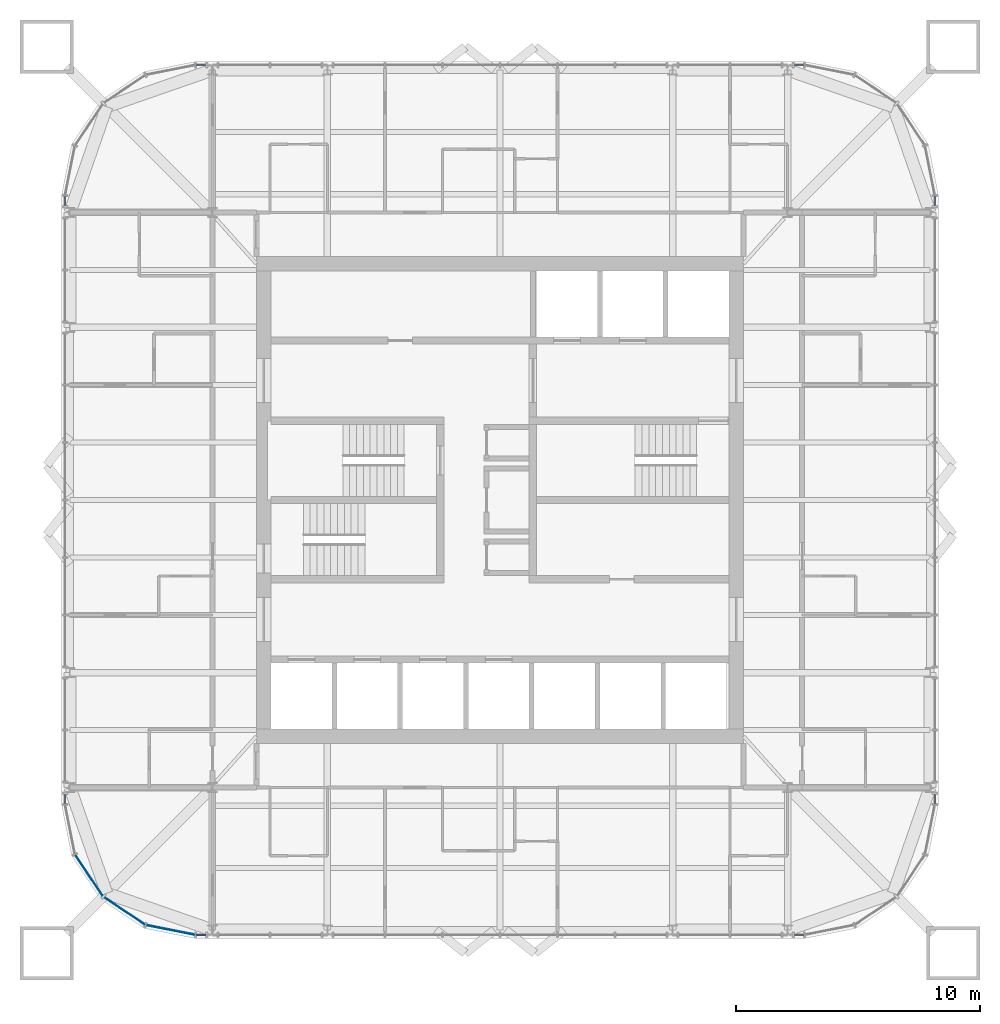
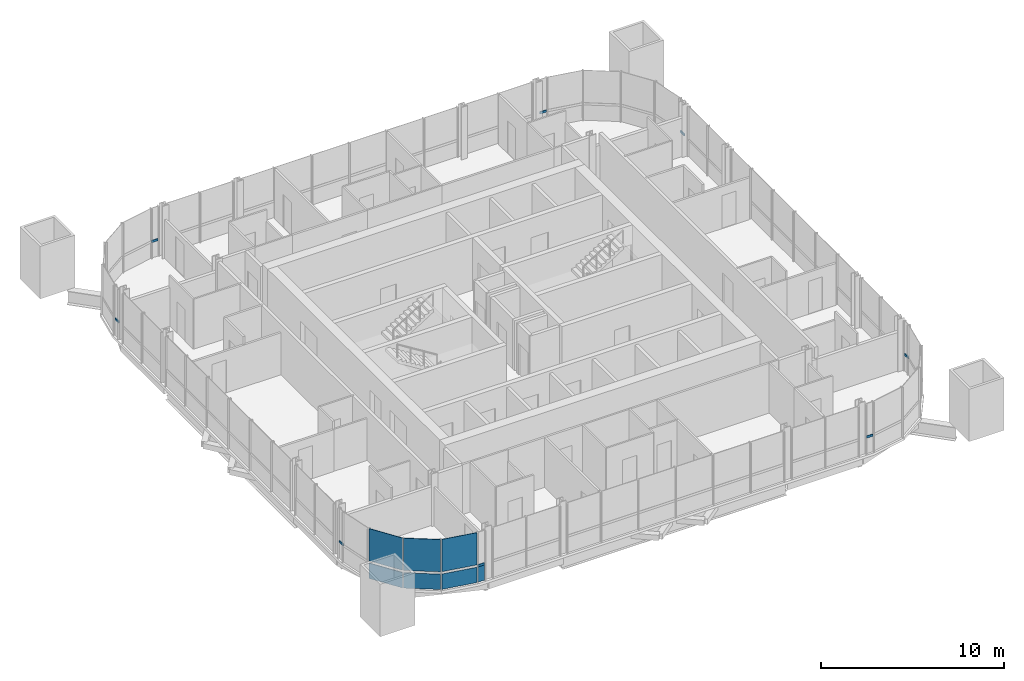
# One storey, part 7 of 17: 8 members, 7 plates, 9 elements without a shape of their own.
"""IFC4 building model written with IfcOpenShell, lengths in metres."""

from ifc_helpers import new_model, si_unit, direction, frame, origin, origin_2d, place, context, subcontext, project, spatial, rectangle, extrude, material, layer, layer_set, material_profile, profile_set, type_object, element, aggregate, save


model = new_model("IFC4")

# Units and contexts
model_context = context("Model", 3, precision=1e-05, world=origin(), true_north=direction((0.0, 1.0)))
body_context = subcontext(model_context, "Body", "Model", "MODEL_VIEW")
ifc_project = project(units=[si_unit("LENGTHUNIT", "METRE"), si_unit("AREAUNIT", "SQUARE_METRE"), si_unit("VOLUMEUNIT", "CUBIC_METRE"), si_unit("PLANEANGLEUNIT", "RADIAN"), si_unit("MASSUNIT", "GRAM", prefix="KILO")], contexts=[model_context])

# Site, building, storey
site_placement = place(None, origin())
site = spatial("IfcSite", under=ifc_project, at=site_placement, CompositionType="ELEMENT")
building_placement = place(site_placement, origin())
building = spatial("IfcBuilding", under=site, at=building_placement, Name="Turquesa Mirador Hotel Tower", CompositionType="ELEMENT")
storey_placement = place(building_placement, frame((0.0, 0.0, 247.699951171875)))
storey = spatial("IfcBuildingStorey", under=building, at=storey_placement, Name="L67", CompositionType="ELEMENT", Elevation=247.699951171875)

# Curtain wall, member
ifc_material_1 = material(Name="Aluminium extrusion", Category="aluminium")
curtain_wall_type = type_object("IfcCurtainWallType", Name="CW-4 SUITE FRITTED CURTAIN WALL", PredefinedType="USERDEFINED", material=ifc_material_1)
curtain_wall_1_placement = place(storey_placement, origin())
curtain_wall_1 = element("IfcCurtainWall", 1, at=curtain_wall_1_placement, inside=storey, type_object=curtain_wall_type, Name="CW-4 SUITE FRITTED CURTAIN WALL L67", ObjectType="CURTAIN WALL", PredefinedType="USERDEFINED")
ifc_material_2 = material(Name="Aluminium extrusion", Category="aluminium")
ifc_material_profile = material_profile(ifc_material_2, rectangle(XDim=0.06494140625, YDim=0.14990234375, at=origin_2d()), Name="TRANSOM 65X150")
ifc_profile_set = profile_set([ifc_material_profile], Name="Aluminium extrusion")
member_type = type_object("IfcMemberType", Name="CW TRANSOM 65X150", PredefinedType="USERDEFINED", material=ifc_profile_set)
member_1_placement = place(storey_placement, frame((72.85009765625, 32.532470703125, 1.10009765625), z_axis=(0.0, 1.0, 0.0), x_axis=(-1.0, 0.0, 0.0)))
member_1 = element("IfcMember", 2, at=member_1_placement, type_object=member_type, Name="Transom", ObjectType="TRANSOM", PredefinedType="USERDEFINED", context=body_context, shape_type="SweptSolid", body=[
    extrude(rectangle(XDim=0.06494140625, YDim=0.14990234375, at=origin_2d()), origin(), (0.0, 0.0, 1.0), 0.401123046875),
])
aggregate(curtain_wall_1, [member_1])

curtain_wall_2_placement = place(storey_placement, origin())
curtain_wall_2 = element("IfcCurtainWall", 3, at=curtain_wall_2_placement, inside=storey, type_object=curtain_wall_type, Name="CW-4 SUITE FRITTED CURTAIN WALL L67", ObjectType="CURTAIN WALL", PredefinedType="USERDEFINED")
member_2_placement = place(storey_placement, frame((72.85009765625, 57.06640625, 1.10009765625), z_axis=(0.0, 1.0, 0.0), x_axis=(-1.0, 0.0, 0.0)))
member_2 = element("IfcMember", 4, at=member_2_placement, type_object=member_type, Name="Transom", ObjectType="TRANSOM", PredefinedType="USERDEFINED", context=body_context, shape_type="SweptSolid", body=[
    extrude(rectangle(XDim=0.06494140625, YDim=0.14990234375, at=origin_2d()), origin(), (0.0, 0.0, 1.0), 0.401123046875),
])
aggregate(curtain_wall_2, [member_2])

curtain_wall_3_placement = place(storey_placement, origin())
curtain_wall_3 = element("IfcCurtainWall", 5, at=curtain_wall_3_placement, inside=storey, type_object=curtain_wall_type, Name="CW-4 SUITE FRITTED CURTAIN WALL L67", ObjectType="CURTAIN WALL", PredefinedType="USERDEFINED")
member_3_placement = place(storey_placement, frame((67.467529296875, 62.85009765625, 1.10009765625), z_axis=(-1.0, 0.0, 0.0), x_axis=(0.0, -1.0, 0.0)))
member_3 = element("IfcMember", 6, at=member_3_placement, type_object=member_type, Name="Transom", ObjectType="TRANSOM", PredefinedType="USERDEFINED", context=body_context, shape_type="SweptSolid", body=[
    extrude(rectangle(XDim=0.06494140625, YDim=0.14990234375, at=origin_2d()), origin(), (0.0, 0.0, 1.0), 0.401123046875),
])
aggregate(curtain_wall_3, [member_3])

curtain_wall_4_placement = place(storey_placement, origin())
curtain_wall_4 = element("IfcCurtainWall", 7, at=curtain_wall_4_placement, inside=storey, type_object=curtain_wall_type, Name="CW-4 SUITE FRITTED CURTAIN WALL L67", ObjectType="CURTAIN WALL", PredefinedType="USERDEFINED")
member_4_placement = place(storey_placement, frame((42.93359375, 62.85009765625, 1.10009765625), z_axis=(-1.0, 0.0, 0.0), x_axis=(0.0, -1.0, 0.0)))
member_4 = element("IfcMember", 8, at=member_4_placement, type_object=member_type, Name="Transom", ObjectType="TRANSOM", PredefinedType="USERDEFINED", context=body_context, shape_type="SweptSolid", body=[
    extrude(rectangle(XDim=0.06494140625, YDim=0.14990234375, at=origin_2d()), origin(), (0.0, 0.0, 1.0), 0.401123046875),
])
aggregate(curtain_wall_4, [member_4])

curtain_wall_5_placement = place(storey_placement, origin())
curtain_wall_5 = element("IfcCurtainWall", 9, at=curtain_wall_5_placement, inside=storey, type_object=curtain_wall_type, Name="CW-4 SUITE FRITTED CURTAIN WALL L67", ObjectType="CURTAIN WALL", PredefinedType="USERDEFINED")
member_5_placement = place(storey_placement, frame((37.14990234375, 57.467529296875, 1.10009765625), z_axis=(0.0, -1.0, 0.0), x_axis=(1.0, 0.0, 0.0)))
member_5 = element("IfcMember", 10, at=member_5_placement, type_object=member_type, Name="Transom", ObjectType="TRANSOM", PredefinedType="USERDEFINED", context=body_context, shape_type="SweptSolid", body=[
    extrude(rectangle(XDim=0.06494140625, YDim=0.14990234375, at=origin_2d()), origin(), (0.0, 0.0, 1.0), 0.401123046875),
])
aggregate(curtain_wall_5, [member_5])

curtain_wall_6_placement = place(storey_placement, origin())
curtain_wall_6 = element("IfcCurtainWall", 11, at=curtain_wall_6_placement, inside=storey, type_object=curtain_wall_type, Name="CW-4 SUITE FRITTED CURTAIN WALL L67", ObjectType="CURTAIN WALL", PredefinedType="USERDEFINED")
member_6_placement = place(storey_placement, frame((37.14990234375, 32.93359375, 1.10009765625), z_axis=(0.0, -1.0, 0.0), x_axis=(1.0, 0.0, 0.0)))
member_6 = element("IfcMember", 12, at=member_6_placement, type_object=member_type, Name="Transom", ObjectType="TRANSOM", PredefinedType="USERDEFINED", context=body_context, shape_type="SweptSolid", body=[
    extrude(rectangle(XDim=0.06494140625, YDim=0.14990234375, at=origin_2d()), origin(), (0.0, 0.0, 1.0), 0.401123046875),
])
aggregate(curtain_wall_6, [member_6])

curtain_wall_7_placement = place(storey_placement, origin())
curtain_wall_7 = element("IfcCurtainWall", 13, at=curtain_wall_7_placement, inside=storey, type_object=curtain_wall_type, Name="CW-4 SUITE FRITTED CURTAIN WALL L67", ObjectType="CURTAIN WALL", PredefinedType="USERDEFINED")
member_7_placement = place(storey_placement, frame((42.532470703125, 27.14990234375, 1.10009765625), z_axis=(1.0, 0.0, 0.0), x_axis=(0.0, 1.0, 0.0)))
member_7 = element("IfcMember", 14, at=member_7_placement, type_object=member_type, Name="Transom", ObjectType="TRANSOM", PredefinedType="USERDEFINED", context=body_context, shape_type="SweptSolid", body=[
    extrude(rectangle(XDim=0.06494140625, YDim=0.14990234375, at=origin_2d()), origin(), (0.0, 0.0, 1.0), 0.401123046875),
])

curtain_wall_8_placement = place(storey_placement, origin())
curtain_wall_8 = element("IfcCurtainWall", 15, at=curtain_wall_8_placement, inside=storey, type_object=curtain_wall_type, Name="CW-4 SUITE FRITTED CURTAIN WALL L67", ObjectType="CURTAIN WALL", PredefinedType="USERDEFINED")
member_8_placement = place(storey_placement, frame((67.06640625, 27.14990234375, 1.10009765625), z_axis=(1.0, 0.0, 0.0), x_axis=(0.0, 1.0, 0.0)))
member_8 = element("IfcMember", 16, at=member_8_placement, type_object=member_type, Name="Transom", ObjectType="TRANSOM", PredefinedType="USERDEFINED", context=body_context, shape_type="SweptSolid", body=[
    extrude(rectangle(XDim=0.06494140625, YDim=0.14990234375, at=origin_2d()), origin(), (0.0, 0.0, 1.0), 0.401123046875),
])
aggregate(curtain_wall_8, [member_8])

# Curtain wall, plates
curtain_wall_9_placement = place(storey_placement, origin())
curtain_wall_9 = element("IfcCurtainWall", 17, at=curtain_wall_9_placement, inside=storey, type_object=curtain_wall_type, Name="CW-4 SUITE FRITTED CURTAIN WALL L67", ObjectType="CURTAIN WALL", PredefinedType="USERDEFINED")
ifc_material_3 = material(Name="Ceramic-printed spandrel glass on an insulated back pan", Category="glass")
ifc_layer_1 = layer(ifc_material_3, 0.050048828125)
ifc_layer_set_1 = layer_set([ifc_layer_1], Name="CW PANEL SPANDREL CERAMIC")
plate_type_1 = type_object("IfcPlateType", Name="CW PANEL SPANDREL CERAMIC", PredefinedType="CURTAIN_PANEL", material=ifc_layer_set_1)
plate_1_placement = place(storey_placement, frame((38.13720703125, 29.584716796875, 0.0), z_axis=(0.0, 0.0, 1.0), x_axis=(0.555570141754, -0.831469673284, 0.0)))
plate_1 = element("IfcPlate", 18, at=plate_1_placement, type_object=plate_type_1, Name="Panel", PredefinedType="CURTAIN_PANEL", context=body_context, shape_type="SweptSolid", body=[
    extrude(rectangle(XDim=2.0224609375, YDim=0.050048828125, at=origin_2d()), origin(), (0.0, 0.0, 1.0), 1.02490234375),
])
plate_2_placement = place(storey_placement, frame((39.584716796875, 28.13720703125, 0.0), z_axis=(0.0, 0.0, 1.0), x_axis=(0.831469673284, -0.555570141754, 0.0)))
plate_2 = element("IfcPlate", 19, at=plate_2_placement, type_object=plate_type_1, Name="Panel", PredefinedType="CURTAIN_PANEL", context=body_context, shape_type="SweptSolid", body=[
    extrude(rectangle(XDim=2.0224609375, YDim=0.050048828125, at=origin_2d()), origin(), (0.0, 0.0, 1.0), 1.02490234375),
])
plate_3_placement = place(storey_placement, frame((41.476318359375, 27.353515625, 0.0), z_axis=(0.0, 0.0, 1.0), x_axis=(0.980785228048, -0.195090585221, 0.0)))
plate_3 = element("IfcPlate", 20, at=plate_3_placement, type_object=plate_type_1, Name="Panel", PredefinedType="CURTAIN_PANEL", context=body_context, shape_type="SweptSolid", body=[
    extrude(rectangle(XDim=2.0224609375, YDim=0.050048828125, at=origin_2d()), origin(), (0.0, 0.0, 1.0), 1.02490234375),
])

# Plate
plate_4_placement = place(storey_placement, frame((42.733154296875, 27.14990234375, 0.0), z_axis=(0.0, 0.0, 1.0), x_axis=(1.0, 0.0, 0.0)))
plate_4 = element("IfcPlate", 21, at=plate_4_placement, type_object=plate_type_1, Name="Panel", PredefinedType="CURTAIN_PANEL", context=body_context, shape_type="SweptSolid", body=[
    extrude(rectangle(XDim=0.401123046875, YDim=0.050048828125, at=origin_2d()), origin(), (0.0, 0.0, 1.0), 1.02490234375),
])

aggregate(curtain_wall_7, [member_7, plate_4])

ifc_material_4 = material(Name="Ceramic-fritted laminated glass", Category="glass")
ifc_layer_2 = layer(ifc_material_4, 0.031982421875)
ifc_layer_set_2 = layer_set([ifc_layer_2], Name="CW PANEL VISION FRITTED")
plate_type_2 = type_object("IfcPlateType", Name="CW PANEL VISION FRITTED", PredefinedType="CURTAIN_PANEL", material=ifc_layer_set_2)
plate_5_placement = place(storey_placement, frame((38.13720703125, 29.584716796875, 1.1748046875), z_axis=(0.0, 0.0, 1.0), x_axis=(0.555570141754, -0.831469673284, 0.0)))
plate_5 = element("IfcPlate", 22, at=plate_5_placement, type_object=plate_type_2, Name="Panel", PredefinedType="CURTAIN_PANEL", context=body_context, shape_type="SweptSolid", body=[
    extrude(rectangle(XDim=2.0224609375, YDim=0.031982421875, at=origin_2d()), origin(), (0.0, 0.0, 1.0), 2.155029296875),
])

plate_6_placement = place(storey_placement, frame((39.584716796875, 28.13720703125, 1.1748046875), z_axis=(0.0, 0.0, 1.0), x_axis=(0.831469673284, -0.555570141754, 0.0)))
plate_6 = element("IfcPlate", 23, at=plate_6_placement, type_object=plate_type_2, Name="Panel", PredefinedType="CURTAIN_PANEL", context=body_context, shape_type="SweptSolid", body=[
    extrude(rectangle(XDim=2.0224609375, YDim=0.031982421875, at=origin_2d()), origin(), (0.0, 0.0, 1.0), 2.155029296875),
])

plate_7_placement = place(storey_placement, frame((41.476318359375, 27.353515625, 1.1748046875), z_axis=(0.0, 0.0, 1.0), x_axis=(0.980785228048, -0.195090585221, 0.0)))
plate_7 = element("IfcPlate", 24, at=plate_7_placement, type_object=plate_type_2, Name="Panel", PredefinedType="CURTAIN_PANEL", context=body_context, shape_type="SweptSolid", body=[
    extrude(rectangle(XDim=2.0224609375, YDim=0.031982421875, at=origin_2d()), origin(), (0.0, 0.0, 1.0), 2.155029296875),
])

aggregate(curtain_wall_9, [plate_1, plate_5, plate_2, plate_6, plate_3, plate_7])

save(model, "model.ifc")
